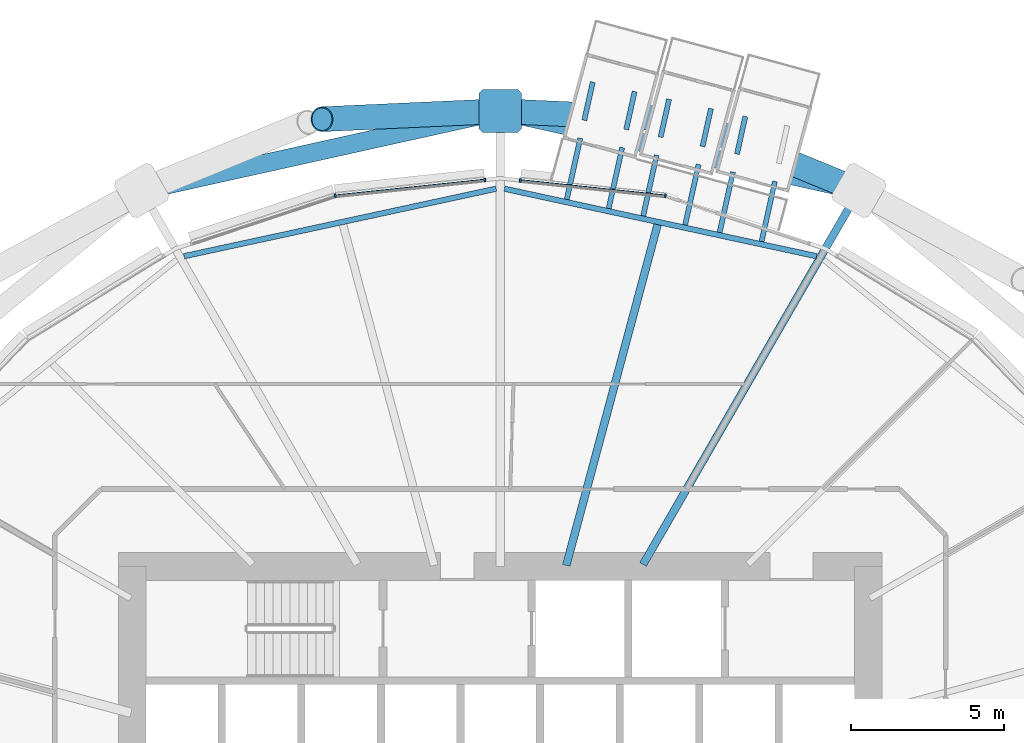
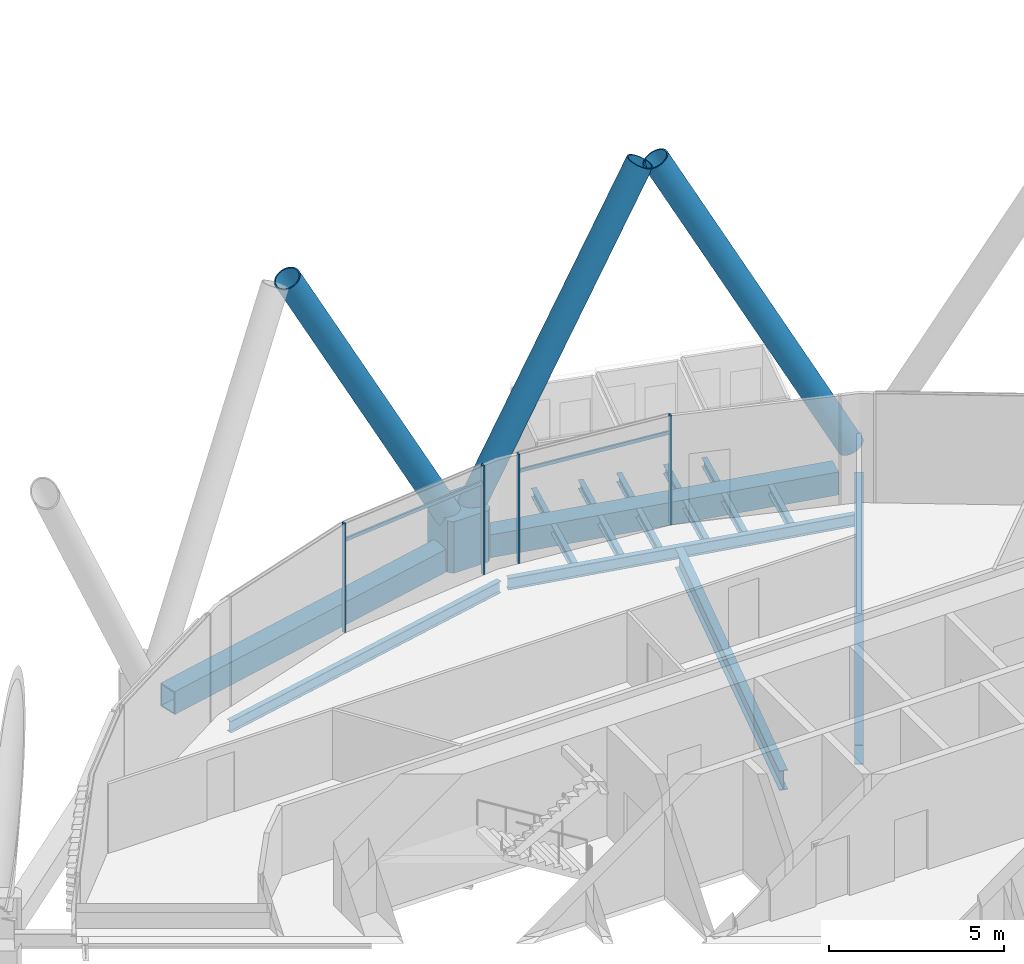
# One storey, part 12 of 40: 17 beams, 10 members, 1 element without a shape of its own.
"""IFC4 building model written with IfcOpenShell, lengths in metres."""

from ifc_helpers import new_model, si_unit, direction, frame, origin, origin_2d, place, context, subcontext, project, spatial, polyline, rectangle, hollow_rectangle, hollow_circle, i_section, outline, extrude, material, material_profile, profile_set, type_object, element, aggregate, save


model = new_model("IFC4")

# Units and contexts
model_context = context("Model", 3, precision=1e-05, world=origin(), true_north=direction((0.0, 1.0)))
body_context = subcontext(model_context, "Body", "Model", "MODEL_VIEW")
ifc_project = project(units=[si_unit("LENGTHUNIT", "METRE"), si_unit("AREAUNIT", "SQUARE_METRE"), si_unit("VOLUMEUNIT", "CUBIC_METRE"), si_unit("PLANEANGLEUNIT", "RADIAN"), si_unit("MASSUNIT", "GRAM", prefix="KILO")], contexts=[model_context])

# Site, building, storey
site_placement = place(None, origin())
site = spatial("IfcSite", under=ifc_project, at=site_placement, CompositionType="ELEMENT")
building_placement = place(site_placement, origin())
building = spatial("IfcBuilding", under=site, at=building_placement, Name="Rimbun Link Towers", CompositionType="ELEMENT")
storey_placement = place(building_placement, frame((0.0, 0.0, 52.800048828125)))
storey = spatial("IfcBuildingStorey", under=building, at=storey_placement, Name="L12", CompositionType="ELEMENT", Elevation=52.800048828125)

# Curtain wall, members
ifc_material_1 = material(Name="Aluminium 6063-T6 and low-iron glass", Category="aluminium")
curtain_wall_type = type_object("IfcCurtainWallType", Name="CW1 unitised vision wall", PredefinedType="NOTDEFINED", material=ifc_material_1)
curtain_wall_placement = place(storey_placement, origin())
curtain_wall = element("IfcCurtainWall", 1, at=curtain_wall_placement, inside=storey, type_object=curtain_wall_type, Name="CW1 L12 T1", PredefinedType="NOTDEFINED")
ifc_material_2 = material(Name="Aluminium 6063-T6", Category="aluminium")
ifc_material_profile_1 = material_profile(ifc_material_2, rectangle(XDim=0.1201171875, YDim=0.06005859375, at=origin_2d()), Name="MULLION 60X120")
ifc_profile_set_1 = profile_set([ifc_material_profile_1], Name="Aluminium 6063-T6")
member_type_1 = type_object("IfcMemberType", Name="CW1 mullion 60X120", PredefinedType="MULLION", material=ifc_profile_set_1)
member_1_placement = place(storey_placement, frame((-26.369384765625, 20.09228515625, 0.0), z_axis=(0.0, 0.0, 1.0), x_axis=(0.210873842747, 0.977513285048, 0.0)))
member_1 = element("IfcMember", 2, at=member_1_placement, type_object=member_type_1, Name="CW1 mullion", PredefinedType="MULLION", context=body_context, shape_type="SweptSolid", body=[
    extrude(rectangle(XDim=0.1201171875, YDim=0.06005859375, at=origin_2d()), origin(), (0.0, 0.0, 1.0), 3.800048828125),
])
member_2_placement = place(storey_placement, frame((-31.097412109375, 20.590576171875, 0.0), z_axis=(0.0, 0.0, 1.0), x_axis=(0.104748434017, 0.994498750915, 0.0)))
member_2 = element("IfcMember", 3, at=member_2_placement, type_object=member_type_1, Name="CW1 mullion", PredefinedType="MULLION", context=body_context, shape_type="SweptSolid", body=[
    extrude(rectangle(XDim=0.1201171875, YDim=0.06005859375, at=origin_2d()), origin(), (0.0, 0.0, 1.0), 3.800048828125),
])
member_3_placement = place(storey_placement, frame((-37.130615234375, 20.09228515625, 0.0), z_axis=(0.0, 0.0, 1.0), x_axis=(-0.210873842747, 0.977513285048, 0.0)))
member_3 = element("IfcMember", 4, at=member_3_placement, type_object=member_type_1, Name="CW1 mullion", PredefinedType="MULLION", context=body_context, shape_type="SweptSolid", body=[
    extrude(rectangle(XDim=0.1201171875, YDim=0.06005859375, at=origin_2d()), origin(), (0.0, 0.0, 1.0), 3.800048828125),
])
member_4_placement = place(storey_placement, frame((-32.25341796875, 20.6064453125, 0.0), z_axis=(0.0, 0.0, 1.0), x_axis=(-0.104748434017, 0.994498750915, 0.0)))
member_4 = element("IfcMember", 5, at=member_4_placement, type_object=member_type_1, Name="CW1 mullion", PredefinedType="MULLION", context=body_context, shape_type="SweptSolid", body=[
    extrude(rectangle(XDim=0.1201171875, YDim=0.06005859375, at=origin_2d()), origin(), (0.0, 0.0, 1.0), 3.800048828125),
])
ifc_material_3 = material(Name="Aluminium 6063-T6", Category="aluminium")
ifc_material_profile_2 = material_profile(ifc_material_3, rectangle(XDim=0.06005859375, YDim=0.1201171875, at=origin_2d()), Name="TRANSOM 60X120")
ifc_profile_set_2 = profile_set([ifc_material_profile_2], Name="Aluminium 6063-T6")
member_type_2 = type_object("IfcMemberType", Name="CW1 transom 60X120", PredefinedType="USERDEFINED", material=ifc_profile_set_2)
member_5_placement = place(storey_placement, frame((-31.067626953125, 20.58544921875, 3.199951171875), z_axis=(0.994500029383, -0.104736295318, 0.0), x_axis=(0.104736295318, 0.994500029383, 0.0)))
member_5 = element("IfcMember", 6, at=member_5_placement, type_object=member_type_2, Name="CW1 transom", ObjectType="TRANSOM", PredefinedType="USERDEFINED", context=body_context, shape_type="SweptSolid", body=[
    extrude(rectangle(XDim=0.06005859375, YDim=0.1201171875, at=origin_2d()), origin(), (0.0, 0.0, 1.0), 4.687744140625),
])
member_6_placement = place(storey_placement, frame((-37.09423828125, 20.094482421875, 3.199951171875), z_axis=(0.994496600414, 0.104768849206, 0.0), x_axis=(-0.104768849206, 0.994496600414, 0.0)))
member_6 = element("IfcMember", 7, at=member_6_placement, type_object=member_type_2, Name="CW1 transom", ObjectType="TRANSOM", PredefinedType="USERDEFINED", context=body_context, shape_type="SweptSolid", body=[
    extrude(rectangle(XDim=0.06005859375, YDim=0.1201171875, at=origin_2d()), origin(), (0.0, 0.0, 1.0), 4.837646484375),
])
aggregate(curtain_wall, [member_1, member_2, member_3, member_4, member_5, member_6])

# Beams
ifc_material_4 = material(Name="Steel S355J2", Category="steel")
ifc_material_profile_3 = material_profile(ifc_material_4, i_section(OverallWidth=0.1650390625, OverallDepth=0.303466796875, WebThickness=0.006103515625, FlangeThickness=0.01025390625, at=origin_2d()), Name="UB 305x165x40")
ifc_profile_set_3 = profile_set([ifc_material_profile_3], Name="Steel S355J2")
beam_type_1 = type_object("IfcBeamType", Name="Capsule bracket beam UB 305x165x40", PredefinedType="BEAM", material=ifc_profile_set_3)
beam_1_placement = place(storey_placement, frame((-29.581787109375, 19.9697265625, -0.311767578125), z_axis=(0.216373491072, 0.976310663857, 0.0), x_axis=(-0.976310663857, 0.216373491072, 0.0)))
element("IfcBeam", 8, at=beam_1_placement, inside=storey, type_object=beam_type_1, Name="Capsule D121.01 bracket beam 1", PredefinedType="BEAM", context=body_context, shape_type="SweptSolid", body=[
    extrude(i_section(OverallWidth=0.1650390625, OverallDepth=0.303466796875, WebThickness=0.006103515625, FlangeThickness=0.01025390625, at=origin_2d()), origin(), (0.0, 0.0, 1.0), 2.042236328125),
])
beam_2_placement = place(storey_placement, frame((-29.01025390625, 22.54931640625, -0.311767578125), z_axis=(0.216302666111, 0.976326357645, 0.0), x_axis=(-0.976326357645, 0.216302666111, 0.0)))
element("IfcBeam", 9, at=beam_2_placement, inside=storey, type_object=beam_type_1, Name="Capsule D121.01 bracket beam 2", PredefinedType="BEAM", context=body_context, shape_type="SweptSolid", body=[
    extrude(i_section(OverallWidth=0.1650390625, OverallDepth=0.303466796875, WebThickness=0.006103515625, FlangeThickness=0.01025390625, at=origin_2d()), origin(), (0.0, 0.0, 1.0), 1.276611328125),
])
beam_3_placement = place(storey_placement, frame((-28.21337890625, 19.673583984375, -0.311767578125), z_axis=(0.216257314092, 0.976336404167, 0.0), x_axis=(-0.976336404167, 0.216257314092, 0.0)))
element("IfcBeam", 10, at=beam_3_placement, inside=storey, type_object=beam_type_1, Name="Capsule D121.01 bracket beam 3", PredefinedType="BEAM", context=body_context, shape_type="SweptSolid", body=[
    extrude(i_section(OverallWidth=0.1650390625, OverallDepth=0.303466796875, WebThickness=0.006103515625, FlangeThickness=0.01025390625, at=origin_2d()), origin(), (0.0, 0.0, 1.0), 2.035400390625),
])
beam_4_placement = place(storey_placement, frame((-27.643310546875, 22.24658203125, -0.311767578125), z_axis=(0.216300444236, 0.976326849894, 0.0), x_axis=(-0.976326849894, 0.216300444236, 0.0)))
element("IfcBeam", 11, at=beam_4_placement, inside=storey, type_object=beam_type_1, Name="Capsule D121.01 bracket beam 4", PredefinedType="BEAM", context=body_context, shape_type="SweptSolid", body=[
    extrude(i_section(OverallWidth=0.1650390625, OverallDepth=0.303466796875, WebThickness=0.006103515625, FlangeThickness=0.01025390625, at=origin_2d()), origin(), (0.0, 0.0, 1.0), 1.27197265625),
])
beam_5_placement = place(storey_placement, frame((-27.08935546875, 19.430419921875, -0.311767578125), z_axis=(0.216268145957, 0.976334004859, 0.0), x_axis=(-0.976334004859, 0.216268145957, 0.0)))
element("IfcBeam", 12, at=beam_5_placement, inside=storey, type_object=beam_type_1, Name="Capsule D121.02 bracket beam 1", PredefinedType="BEAM", context=body_context, shape_type="SweptSolid", body=[
    extrude(i_section(OverallWidth=0.1650390625, OverallDepth=0.303466796875, WebThickness=0.006103515625, FlangeThickness=0.01025390625, at=origin_2d()), origin(), (0.0, 0.0, 1.0), 2.02978515625),
])
beam_6_placement = place(storey_placement, frame((-26.5205078125, 21.997802734375, -0.311767578125), z_axis=(0.216319088571, 0.976322719146, 0.0), x_axis=(-0.976322719146, 0.216319088571, 0.0)))
element("IfcBeam", 13, at=beam_6_placement, inside=storey, type_object=beam_type_1, Name="Capsule D121.02 bracket beam 2", PredefinedType="BEAM", context=body_context, shape_type="SweptSolid", body=[
    extrude(i_section(OverallWidth=0.1650390625, OverallDepth=0.303466796875, WebThickness=0.006103515625, FlangeThickness=0.01025390625, at=origin_2d()), origin(), (0.0, 0.0, 1.0), 1.2685546875),
])
beam_7_placement = place(storey_placement, frame((-25.720947265625, 19.134521484375, -0.311767578125), z_axis=(0.216291420148, 0.976328849093, 0.0), x_axis=(-0.976328849093, 0.216291420148, 0.0)))
element("IfcBeam", 14, at=beam_7_placement, inside=storey, type_object=beam_type_1, Name="Capsule D121.02 bracket beam 3", PredefinedType="BEAM", context=body_context, shape_type="SweptSolid", body=[
    extrude(i_section(OverallWidth=0.1650390625, OverallDepth=0.303466796875, WebThickness=0.006103515625, FlangeThickness=0.01025390625, at=origin_2d()), origin(), (0.0, 0.0, 1.0), 2.022705078125),
])
beam_8_placement = place(storey_placement, frame((-25.153564453125, 21.695068359375, -0.311767578125), z_axis=(0.21609204565, 0.97637299625, 0.0), x_axis=(-0.97637299625, 0.21609204565, 0.0)))
element("IfcBeam", 15, at=beam_8_placement, inside=storey, type_object=beam_type_1, Name="Capsule D121.02 bracket beam 4", PredefinedType="BEAM", context=body_context, shape_type="SweptSolid", body=[
    extrude(i_section(OverallWidth=0.1650390625, OverallDepth=0.303466796875, WebThickness=0.006103515625, FlangeThickness=0.01025390625, at=origin_2d()), origin(), (0.0, 0.0, 1.0), 1.26416015625),
])
beam_9_placement = place(storey_placement, frame((-24.596923828125, 18.891357421875, -0.311767578125), z_axis=(0.216302417498, 0.976326412725, 0.0), x_axis=(-0.976326412725, 0.216302417498, 0.0)))
element("IfcBeam", 16, at=beam_9_placement, inside=storey, type_object=beam_type_1, Name="Capsule D121.03 bracket beam 1", PredefinedType="BEAM", context=body_context, shape_type="SweptSolid", body=[
    extrude(i_section(OverallWidth=0.1650390625, OverallDepth=0.303466796875, WebThickness=0.006103515625, FlangeThickness=0.01025390625, at=origin_2d()), origin(), (0.0, 0.0, 1.0), 2.01708984375),
])
beam_10_placement = place(storey_placement, frame((-24.031005859375, 21.4462890625, -0.311767578125), z_axis=(0.216294820128, 0.97632809587, 0.0), x_axis=(-0.97632809587, 0.216294820128, 0.0)))
element("IfcBeam", 17, at=beam_10_placement, inside=storey, type_object=beam_type_1, Name="Capsule D121.03 bracket beam 2", PredefinedType="BEAM", context=body_context, shape_type="SweptSolid", body=[
    extrude(i_section(OverallWidth=0.1650390625, OverallDepth=0.303466796875, WebThickness=0.006103515625, FlangeThickness=0.01025390625, at=origin_2d()), origin(), (0.0, 0.0, 1.0), 1.2607421875),
])
beam_11_placement = place(storey_placement, frame((-23.228515625, 18.59521484375, -0.311767578125), z_axis=(0.216300307692, 0.976326880144, 0.0), x_axis=(-0.976326880144, 0.216300307692, 0.0)))
element("IfcBeam", 18, at=beam_11_placement, inside=storey, type_object=beam_type_1, Name="Capsule D121.03 bracket beam 3", PredefinedType="BEAM", context=body_context, shape_type="SweptSolid", body=[
    extrude(i_section(OverallWidth=0.1650390625, OverallDepth=0.303466796875, WebThickness=0.006103515625, FlangeThickness=0.01025390625, at=origin_2d()), origin(), (0.0, 0.0, 1.0), 2.01025390625),
])

# Members
ifc_material_5 = material(Name="Steel S460NH", Category="steel")
ifc_material_profile_4 = material_profile(ifc_material_5, hollow_circle(Radius=0.406494140625, WallThickness=0.0400390625, at=origin_2d()), Name="Diagrid diagonal CHS 813x40")
ifc_profile_set_4 = profile_set([ifc_material_profile_4], Name="Steel S460NH")
member_type_3 = type_object("IfcMemberType", Name="Diagrid diagonal CHS 813x40", PredefinedType="BRACE", material=ifc_profile_set_4)
member_7_placement = place(storey_placement, frame((-20.2724609375, 20.34765625, 0.440673828125), z_axis=(-0.436685293391, 0.179147169469, 0.881596419121), x_axis=(-0.379545890298, -0.925172912032, 0.0)))
element("IfcMember", 19, at=member_7_placement, inside=storey, type_object=member_type_3, Name="Diagrid diagonal T1 L12-L15 04b", PredefinedType="BRACE", context=body_context, shape_type="SweptSolid", body=[
    extrude(hollow_circle(Radius=0.406494140625, WallThickness=0.0400390625, at=origin_2d()), origin(), (0.0, 0.0, 1.0), 11.93115234375),
])
for number, where, z_axis, x_axis, name in (
    (20, (-31.515625, 22.83837890625, 0.441650390625), (0.468615412068, -0.021260628355, 0.883146409863), (0.045322412858, 0.998972411477, 0.0), "Diagrid diagonal T1 L12-L15 06a"),
    (21, (-31.984375, 22.83837890625, 0.441650390625), (-0.468615412068, -0.021260628355, 0.883146409863), (0.045322412858, -0.998972411477, 0.0), "Diagrid diagonal T1 L12-L15 06b"),
):
    element("IfcMember", number, at=place(storey_placement, frame(where, z_axis=z_axis, x_axis=x_axis)), inside=storey, type_object=member_type_3, Name=name, PredefinedType="BRACE", context=body_context, shape_type="SweptSolid", body=[
        extrude(hollow_circle(Radius=0.406494140625, WallThickness=0.0400390625, at=origin_2d()), origin(), (0.0, 0.0, 1.0), 11.908203125),
    ])
ifc_material_6 = material(Name="Cast steel G20Mn5+QT, Rp0.2 300 MPa", Category="steel")
ifc_material_profile_5 = material_profile(ifc_material_6, outline(polyline([(0.699951171875, -0.570068359375), (0.699951171875, 0.570068359375), (0.570068359375, 0.699951171875), (-0.570068359375, 0.699951171875), (-0.699951171875, 0.570068359375), (-0.699951171875, -0.570068359375), (-0.570068359375, -0.699951171875), (0.570068359375, -0.699951171875), (0.699951171875, -0.570068359375)])), Name="NODE 1400x1400")
ifc_profile_set_5 = profile_set([ifc_material_profile_5], Name="Cast steel G20Mn5+QT, Rp0.2 300 MPa")
member_type_4 = type_object("IfcMemberType", Name="Diagrid node cast 1400", PredefinedType="USERDEFINED", material=ifc_profile_set_5)
member_8_placement = place(storey_placement, frame((-31.75, 22.84912109375, -0.900146484375), z_axis=(0.0, 0.0, 1.0), x_axis=(0.0, 1.0, 0.0)))
element("IfcMember", 22, at=member_8_placement, inside=storey, type_object=member_type_4, Name="Diagrid node L12 06", ObjectType="Diagrid node", PredefinedType="USERDEFINED", context=body_context, shape_type="SweptSolid", body=[
    extrude(outline(polyline([(0.699951171875, -0.570068359375), (0.699951171875, 0.570068359375), (0.570068359375, 0.699951171875), (-0.570068359375, 0.699951171875), (-0.699951171875, 0.570068359375), (-0.699951171875, -0.570068359375), (-0.570068359375, -0.699951171875), (0.570068359375, -0.699951171875), (0.699951171875, -0.570068359375)])), origin(), (0.0, 0.0, 1.0), 1.800048828125),
])

# Beams
ifc_material_7 = material(Name="Steel S355J2", Category="steel")
ifc_material_profile_6 = material_profile(ifc_material_7, hollow_rectangle(XDim=0.60009765625, YDim=0.800048828125, WallThickness=0.0400390625, at=origin_2d()), Name="Exoskeleton ring girder BOX 600x800x40")
ifc_profile_set_6 = profile_set([ifc_material_profile_6], Name="Steel S355J2")
beam_type_2 = type_object("IfcBeamType", Name="Exoskeleton ring girder BOX 600x800x40", PredefinedType="BEAM", material=ifc_profile_set_6)
for number, where, z_axis, x_axis, name in (
    (23, (-20.7373046875, 20.409423828125, -0.56005859375), (-0.976328566554, 0.216292695509, 0.0), (-0.216292695509, -0.976328566554, 0.0), "Exoskeleton ring girder L12 02"),
    (24, (-32.433349609375, 22.69775390625, -0.56005859375), (-0.976328566554, -0.216292695509, 0.0), (0.216292695509, -0.976328566554, 0.0), "Exoskeleton ring girder L12 03"),
):
    element("IfcBeam", number, at=place(storey_placement, frame(where, z_axis=z_axis, x_axis=x_axis)), inside=storey, type_object=beam_type_2, Name=name, PredefinedType="BEAM", context=body_context, shape_type="SweptSolid", body=[
        extrude(hollow_rectangle(XDim=0.60009765625, YDim=0.800048828125, WallThickness=0.0400390625, at=origin_2d()), origin(), (0.0, 0.0, 1.0), 10.579833984375),
    ])
ifc_material_8 = material(Name="Steel S355J2", Category="steel")
ifc_material_profile_7 = material_profile(ifc_material_8, i_section(OverallWidth=0.177978515625, OverallDepth=0.406494140625, WebThickness=0.0078125, FlangeThickness=0.0126953125, at=origin_2d()), Name="UB 406x178x60")
ifc_profile_set_7 = profile_set([ifc_material_profile_7], Name="Steel S355J2")
beam_type_3 = type_object("IfcBeamType", Name="UB 406x178x60", PredefinedType="BEAM", material=ifc_profile_set_7)
for number, where, z_axis, x_axis, name in (
    (25, (-21.437744140625, 18.11669921875, -0.36328125), (-0.977389159569, 0.211448411575, 0.0), (-0.211448411575, -0.977389159569, 0.0), "Edge beam T1 L12 04-06"),
    (26, (-31.88427734375, 20.318603515625, -0.36328125), (-0.977389159569, -0.211448411575, 0.0), (0.211448411575, -0.977389159569, 0.0), "Edge beam T1 L12 06-08"),
):
    element("IfcBeam", number, at=place(storey_placement, frame(where, z_axis=z_axis, x_axis=x_axis)), inside=storey, type_object=beam_type_3, Name=name, PredefinedType="BEAM", context=body_context, shape_type="SweptSolid", body=[
        extrude(i_section(OverallWidth=0.177978515625, OverallDepth=0.406494140625, WebThickness=0.0078125, FlangeThickness=0.0126953125, at=origin_2d()), origin(), (0.0, 0.0, 1.0), 10.413330078125),
    ])
ifc_material_9 = material(Name="Steel S355J2", Category="steel")
ifc_material_profile_8 = material_profile(ifc_material_9, i_section(OverallWidth=0.253662109375, OverallDepth=0.68359375, WebThickness=0.012451171875, FlangeThickness=0.01904296875, at=origin_2d()), Name="UB 686x254x140")
ifc_profile_set_8 = profile_set([ifc_material_profile_8], Name="Steel S355J2")
beam_type_4 = type_object("IfcBeamType", Name="UB 686x254x140", PredefinedType="BEAM", material=ifc_profile_set_8)
beam_12_placement = place(storey_placement, frame((-27.093994140625, 8.064208984375, -0.501708984375), z_axis=(0.499990635695, 0.866030810201, 0.0), x_axis=(-0.866030810201, 0.499990635695, 0.0)))
element("IfcBeam", 27, at=beam_12_placement, inside=storey, type_object=beam_type_4, Name="Radial beam T1 L12 04", PredefinedType="BEAM", context=body_context, shape_type="SweptSolid", body=[
    extrude(i_section(OverallWidth=0.253662109375, OverallDepth=0.68359375, WebThickness=0.012451171875, FlangeThickness=0.01904296875, at=origin_2d()), origin(), (0.0, 0.0, 1.0), 13.580322265625),
])
beam_13_placement = place(storey_placement, frame((-29.597412109375, 8.03369140625, -0.501708984375), z_axis=(0.258819531339, 0.965925696002, 0.0), x_axis=(-0.965925696002, 0.258819531339, 0.0)))
element("IfcBeam", 28, at=beam_13_placement, inside=storey, type_object=beam_type_4, Name="Radial beam T1 L12 05", PredefinedType="BEAM", context=body_context, shape_type="SweptSolid", body=[
    extrude(i_section(OverallWidth=0.253662109375, OverallDepth=0.68359375, WebThickness=0.012451171875, FlangeThickness=0.01904296875, at=origin_2d()), origin(), (0.0, 0.0, 1.0), 11.50439453125),
])

save(model, "model.ifc")
